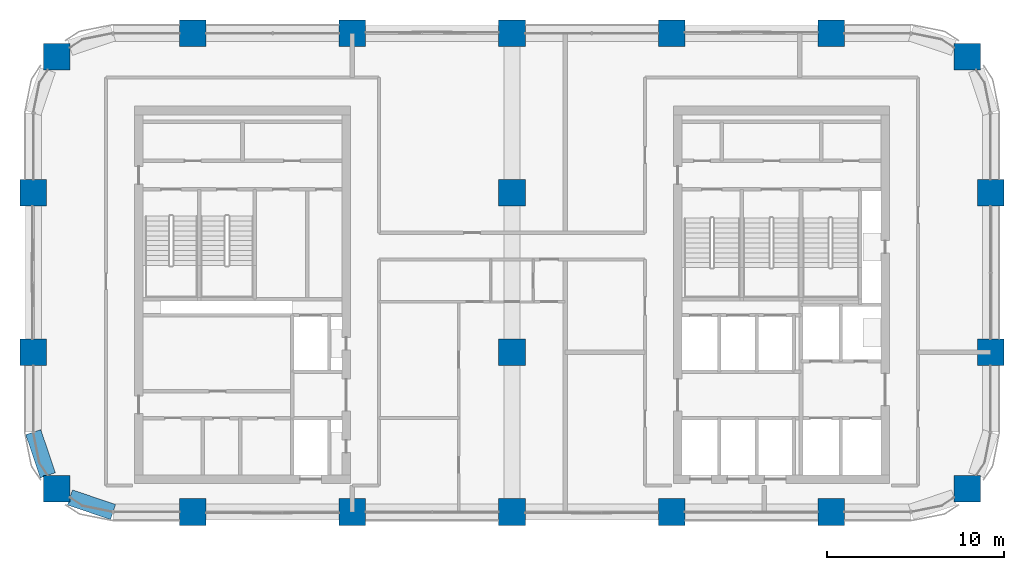
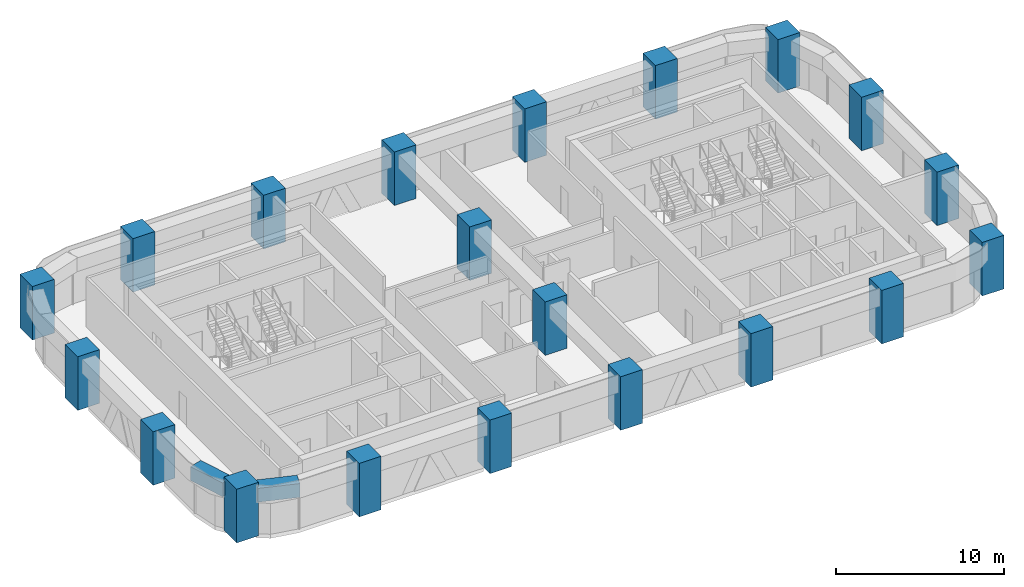
# One storey, part 1 of 18: 20 columns, 2 beams.
"""IFC4 building model written with IfcOpenShell, lengths in metres."""

from ifc_helpers import new_model, si_unit, direction, frame, origin, origin_2d, place, context, subcontext, project, spatial, rectangle, extrude, material, material_profile, profile_set, type_object, element, save


model = new_model("IFC4")

# Units and contexts
model_context = context("Model", 3, precision=1e-05, world=origin(), true_north=direction((0.0, 1.0)))
body_context = subcontext(model_context, "Body", "Model", "MODEL_VIEW")
ifc_project = project(units=[si_unit("LENGTHUNIT", "METRE"), si_unit("AREAUNIT", "SQUARE_METRE"), si_unit("VOLUMEUNIT", "CUBIC_METRE"), si_unit("PLANEANGLEUNIT", "RADIAN"), si_unit("MASSUNIT", "GRAM", prefix="KILO")], contexts=[model_context])

# Site, building, storey
site_placement = place(None, origin())
site = spatial("IfcSite", under=ifc_project, at=site_placement, CompositionType="ELEMENT")
building_placement = place(site_placement, origin())
building = spatial("IfcBuilding", under=site, at=building_placement, Name="Tessera Arch", CompositionType="ELEMENT")
storey_placement = place(building_placement, frame((0.0, 0.0, 154.39990234375)))
storey = spatial("IfcBuildingStorey", under=building, at=storey_placement, Name="L36", CompositionType="ELEMENT", Elevation=154.39990234375)

# Columns
ifc_material_1 = material(Name="Concrete C70/85", Category="concrete")
ifc_material_profile_1 = material_profile(ifc_material_1, rectangle(XDim=1.5, YDim=1.5, at=origin_2d()), Name="RC column 1500 x 1500 Concrete C70/85")
ifc_profile_set_1 = profile_set([ifc_material_profile_1], Name="Concrete C70/85")
column_type = type_object("IfcColumnType", Name="RC column 1500 x 1500 Concrete C70/85", PredefinedType="COLUMN", material=ifc_profile_set_1)
for number, where, z_axis, x_axis, name in (
    (1, (1.318115234375, 28.318115234375, 0.0), (0.0, 0.0, 1.0), (1.0, 0.0, 0.0), "Column C1D L36"),
    (2, (0.0, 36.0, 0.0), (0.0, 0.0, 1.0), (1.0, 0.0, 0.0), "Column C1E L36"),
    (3, (0.0, 45.0, 0.0), (0.0, 0.0, 1.0), (1.0, 0.0, 0.0), "Column C1F L36"),
    (4, (1.318115234375, 52.681884765625, 0.0), (0.0, 0.0, 1.0), (1.0, 0.0, 0.0), "Column C1G L36"),
    (5, (9.0, 27.0, 0.0), (0.0, 0.0, 1.0), (1.0, 0.0, 0.0), "Column C2D L36"),
    (6, (9.0, 54.0, 0.0), (0.0, 0.0, 1.0), (1.0, 0.0, 0.0), "Column C2G L36"),
    (7, (18.0, 27.0, 0.0), (0.0, 0.0, 1.0), (1.0, 0.0, 0.0), "Column C3D L36"),
    (8, (18.0, 54.0, 0.0), (0.0, 0.0, 1.0), (1.0, 0.0, 0.0), "Column C3G L36"),
    (9, (27.0, 27.0, 0.0), (0.0, 0.0, 1.0), (1.0, 0.0, 0.0), "Column C4D L36"),
    (10, (27.0, 36.0, 0.0), (0.0, 0.0, 1.0), (1.0, 0.0, 0.0), "Column C4E L36"),
    (11, (27.0, 45.0, 0.0), (0.0, 0.0, 1.0), (1.0, 0.0, 0.0), "Column C4F L36"),
    (12, (27.0, 54.0, 0.0), (0.0, 0.0, 1.0), (1.0, 0.0, 0.0), "Column C4G L36"),
    (13, (36.0, 27.0, 0.0), (0.0, 0.0, 1.0), (1.0, 0.0, 0.0), "Column C5D L36"),
    (14, (36.0, 54.0, 0.0), (0.0, 0.0, 1.0), (1.0, 0.0, 0.0), "Column C5G L36"),
    (15, (45.0, 27.0, 0.0), (0.0, 0.0, 1.0), (1.0, 0.0, 0.0), "Column C6D L36"),
    (16, (45.0, 54.0, 0.0), (0.0, 0.0, 1.0), (1.0, 0.0, 0.0), "Column C6G L36"),
    (17, (52.681884765625, 28.318115234375, 0.0), (0.0, 0.0, 1.0), (1.0, 0.0, 0.0), "Column C7D L36"),
    (18, (54.0, 36.0, 0.0), (0.0, 0.0, 1.0), (1.0, 0.0, 0.0), "Column C7E L36"),
    (19, (54.0, 45.0, 0.0), (0.0, 0.0, 1.0), (1.0, 0.0, 0.0), "Column C7F L36"),
    (20, (52.681884765625, 52.681884765625, 0.0), (0.0, 0.0, 1.0), (1.0, 0.0, 0.0), "Column C7G L36"),
):
    element("IfcColumn", number, at=place(storey_placement, frame(where, z_axis=z_axis, x_axis=x_axis)), inside=storey, type_object=column_type, Name=name, PredefinedType="COLUMN", context=body_context, shape_type="SweptSolid", body=[
        extrude(rectangle(XDim=1.5, YDim=1.5, at=origin_2d()), origin(), (0.0, 0.0, 1.0), 3.900146484375),
    ])

# Beams
ifc_material_2 = material(Name="Concrete C70/85", Category="concrete")
ifc_material_profile_2 = material_profile(ifc_material_2, rectangle(XDim=0.89990234375, YDim=1.0, at=origin_2d()), Name="RC spandrel beam 900 x 1000 Concrete C70/85")
ifc_profile_set_2 = profile_set([ifc_material_profile_2], Name="Concrete C70/85")
beam_type = type_object("IfcBeamType", Name="RC spandrel beam 900 x 1000 Concrete C70/85", PredefinedType="BEAM", material=ifc_profile_set_2)
for number, where, z_axis, x_axis, name in (
    (21, (0.0, 31.5, 3.10009765625), (0.31842525032, -0.947947973234, 0.0), (0.947947973234, 0.31842525032, 0.0), "Spandrel beam L36 W0.27/2.2"),
    (22, (2.068115234375, 27.81689453125, 3.10009765625), (0.947947973234, -0.31842525032, 0.0), (0.31842525032, 0.947947973234, 0.0), "Spandrel beam L36 S27.0/0.1"),
):
    element("IfcBeam", number, at=place(storey_placement, frame(where, z_axis=z_axis, x_axis=x_axis)), inside=storey, type_object=beam_type, Name=name, PredefinedType="BEAM", context=body_context, shape_type="SweptSolid", body=[
        extrude(rectangle(XDim=0.89990234375, YDim=1.0, at=origin_2d()), origin(), (0.0, 0.0, 1.0), 2.5654296875),
    ])

save(model, "model.ifc")
